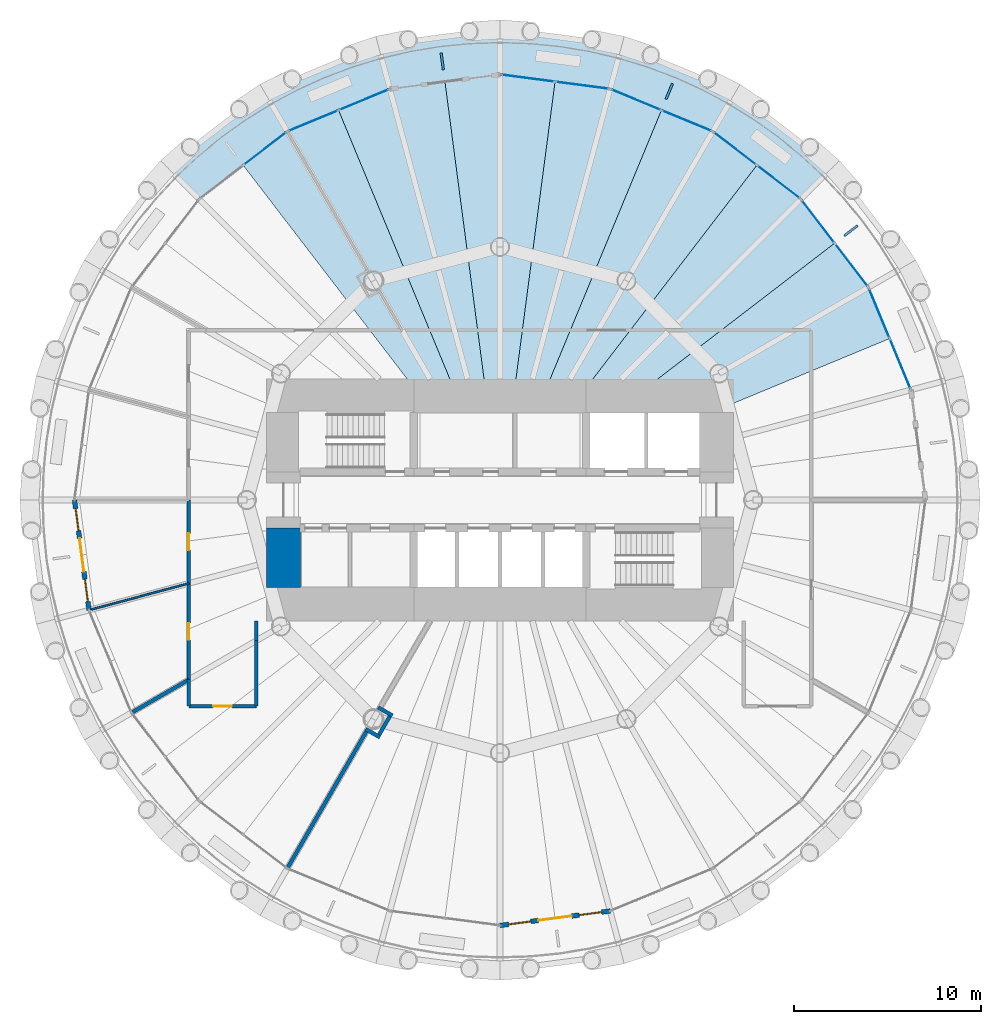
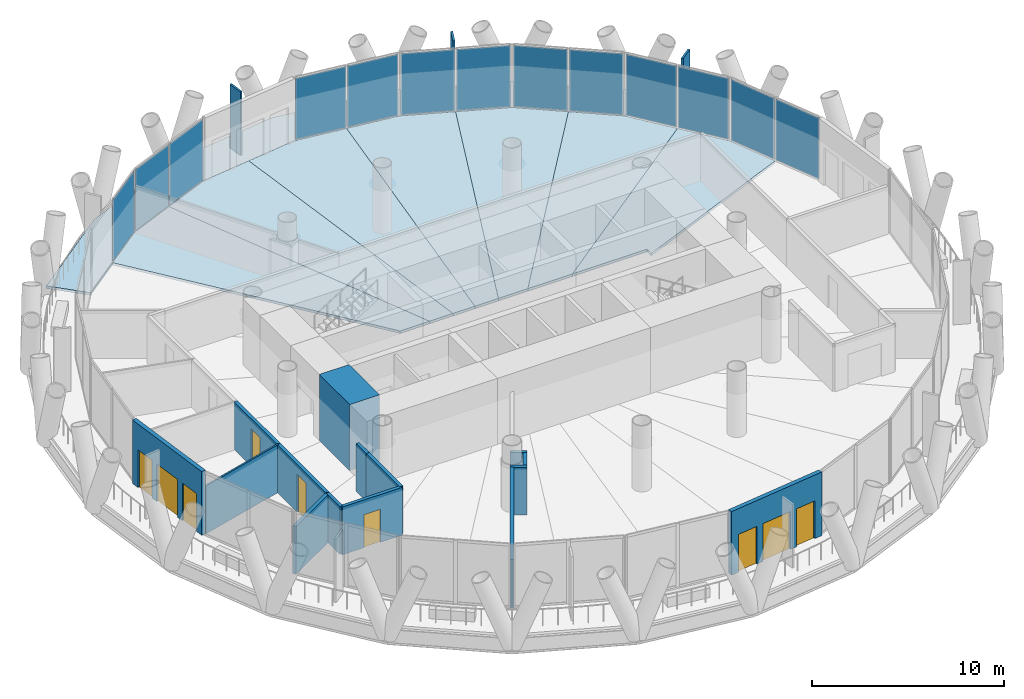
# One storey, part 8 of 14: 16 plates, 15 walls, 8 slabs, 5 doors, 4 windows, 9 openings, 7 elements without a shape of their own.
"""IFC4 building model written with IfcOpenShell, lengths in metres."""

from ifc_helpers import new_model, si_unit, direction, frame, frame_2d, origin, origin_2d, place, context, subcontext, project, spatial, polyline, rectangle, outline, extrude, material, layer, layer_set, type_object, element, fill, aggregate, save


model = new_model("IFC4")

# Units and contexts
model_context = context("Model", 3, precision=1e-05, world=origin(), true_north=direction((0.0, 1.0)))
body_context = subcontext(model_context, "Body", "Model", "MODEL_VIEW")
ifc_project = project(units=[si_unit("LENGTHUNIT", "METRE"), si_unit("AREAUNIT", "SQUARE_METRE"), si_unit("VOLUMEUNIT", "CUBIC_METRE"), si_unit("PLANEANGLEUNIT", "RADIAN"), si_unit("MASSUNIT", "GRAM", prefix="KILO")], contexts=[model_context])

# Site, building, storey
site_placement = place(None, origin())
site = spatial("IfcSite", under=ifc_project, at=site_placement, CompositionType="ELEMENT")
building_placement = place(site_placement, origin())
building = spatial("IfcBuilding", under=site, at=building_placement, Name="Qaws Media Tower", CompositionType="ELEMENT")
storey_placement = place(building_placement, frame((0.0, 0.0, 126.800048828125)))
storey = spatial("IfcBuildingStorey", under=building, at=storey_placement, Name="L28", CompositionType="ELEMENT", Elevation=126.800048828125)

# Slabs
ifc_material_1 = material(Name="Concrete C35/45", Category="concrete")
ifc_layer_1 = layer(ifc_material_1, 0.159912109375)
ifc_layer_set_1 = layer_set([ifc_layer_1], Name="Composite balcony slab 160")
slab_type_1 = type_object("IfcSlabType", Name="Composite balcony slab 160", PredefinedType="FLOOR", material=ifc_layer_set_1)
slab_1_placement = place(storey_placement, frame((0.0, 0.0, -0.16015625)))
element("IfcSlab", 1, at=slab_1_placement, inside=storey, type_object=slab_type_1, Name="S2 balcony slab L28 R04 to R10, movement joints on R04 and R10", PredefinedType="FLOOR", context=body_context, shape_type="SweptSolid", body=[
    extrude(outline(polyline([(47.449951171875, 71.7373046875), (53.503662109375, 74.24462890625), (60.0, 75.10009765625), (66.496337890625, 74.24462890625), (72.550048828125, 71.7373046875), (77.748291015625, 67.748291015625), (76.05126953125, 66.05126953125), (71.35009765625, 69.65869140625), (65.875244140625, 71.926513671875), (60.0, 72.699951171875), (54.124755859375, 71.926513671875), (48.64990234375, 69.65869140625), (43.94873046875, 66.05126953125), (42.251708984375, 67.748291015625), (47.449951171875, 71.7373046875)])), origin(), (0.0, 0.0, 1.0), 0.16015625),
])
ifc_material_2 = material(Name="Concrete C35/45", Category="concrete")
ifc_layer_2 = layer(ifc_material_2, 0.159912109375)
ifc_layer_set_2 = layer_set([ifc_layer_2], Name="Composite floor slab 160")
slab_type_2 = type_object("IfcSlabType", Name="Composite floor slab 160", PredefinedType="FLOOR", material=ifc_layer_set_2)
slab_2_placement = place(storey_placement, frame((0.0, 0.0, -0.16015625)))
element("IfcSlab", 2, at=slab_2_placement, inside=storey, type_object=slab_type_2, Name="S1 floor panel L28 on R03", PredefinedType="FLOOR", context=body_context, shape_type="SweptSolid", body=[
    extrude(outline(polyline([(79.65869140625, 61.35009765625), (80.79248046875, 58.612548828125), (71.0, 54.556396484375), (71.0, 55.0), (66.51611328125, 55.0), (77.85498046875, 63.70068359375), (79.65869140625, 61.35009765625)])), origin(), (0.0, 0.0, 1.0), 0.16015625),
])
slab_3_placement = place(storey_placement, frame((0.0, 0.0, -0.16015625)))
element("IfcSlab", 3, at=slab_3_placement, inside=storey, type_object=slab_type_2, Name="S1 floor panel L28 on R04", PredefinedType="FLOOR", context=body_context, shape_type="SweptSolid", body=[
    extrude(outline(polyline([(76.05126953125, 66.05126953125), (77.85498046875, 63.70068359375), (66.51611328125, 55.0), (63.836669921875, 55.0), (73.70068359375, 67.85498046875), (76.05126953125, 66.05126953125)])), origin(), (0.0, 0.0, 1.0), 0.16015625),
])
slab_4_placement = place(storey_placement, frame((0.0, 0.0, -0.16015625)))
element("IfcSlab", 4, at=slab_4_placement, inside=storey, type_object=slab_type_2, Name="S1 floor panel L28 on R05", PredefinedType="FLOOR", context=body_context, shape_type="SweptSolid", body=[
    extrude(outline(polyline([(71.35009765625, 69.65869140625), (73.70068359375, 67.85498046875), (63.836669921875, 55.0), (62.071044921875, 55.0), (68.612548828125, 70.79248046875), (71.35009765625, 69.65869140625)])), origin(), (0.0, 0.0, 1.0), 0.16015625),
])
slab_5_placement = place(storey_placement, frame((0.0, 0.0, -0.16015625)))
element("IfcSlab", 5, at=slab_5_placement, inside=storey, type_object=slab_type_2, Name="S1 floor panel L28 on R06", PredefinedType="FLOOR", context=body_context, shape_type="SweptSolid", body=[
    extrude(outline(polyline([(65.875244140625, 71.926513671875), (68.612548828125, 70.79248046875), (62.071044921875, 55.0), (60.658203125, 55.0), (62.9375, 72.313232421875), (65.875244140625, 71.926513671875)])), origin(), (0.0, 0.0, 1.0), 0.16015625),
])
slab_6_placement = place(storey_placement, frame((0.0, 0.0, -0.16015625)))
element("IfcSlab", 6, at=slab_6_placement, inside=storey, type_object=slab_type_2, Name="S1 floor panel L28 on R07", PredefinedType="FLOOR", context=body_context, shape_type="SweptSolid", body=[
    extrude(outline(polyline([(60.0, 72.699951171875), (62.9375, 72.313232421875), (60.658203125, 55.0), (59.341796875, 55.0), (57.0625, 72.313232421875), (60.0, 72.699951171875)])), origin(), (0.0, 0.0, 1.0), 0.16015625),
])
slab_7_placement = place(storey_placement, frame((0.0, 0.0, -0.16015625)))
element("IfcSlab", 7, at=slab_7_placement, inside=storey, type_object=slab_type_2, Name="S1 floor panel L28 on R08", PredefinedType="FLOOR", context=body_context, shape_type="SweptSolid", body=[
    extrude(outline(polyline([(54.124755859375, 71.926513671875), (57.0625, 72.313232421875), (59.341796875, 55.0), (57.928955078125, 55.0), (51.387451171875, 70.79248046875), (54.124755859375, 71.926513671875)])), origin(), (0.0, 0.0, 1.0), 0.16015625),
])
slab_8_placement = place(storey_placement, frame((0.0, 0.0, -0.16015625)))
element("IfcSlab", 8, at=slab_8_placement, inside=storey, type_object=slab_type_2, Name="S1 floor panel L28 on R09", PredefinedType="FLOOR", context=body_context, shape_type="SweptSolid", body=[
    extrude(outline(polyline([(48.64990234375, 69.65869140625), (51.387451171875, 70.79248046875), (57.928955078125, 55.0), (56.163330078125, 55.0), (46.29931640625, 67.85498046875), (48.64990234375, 69.65869140625)])), origin(), (0.0, 0.0, 1.0), 0.16015625),
])

# Curtain wall, plates
ifc_material_3 = material(Name="Aluminium and clear glass", Category="aluminium")
curtain_wall_type = type_object("IfcCurtainWallType", Name="Unitised curtain wall CW-B", PredefinedType="NOTDEFINED", material=ifc_material_3)
curtain_wall_1_placement = place(storey_placement, origin())
curtain_wall_1 = element("IfcCurtainWall", 9, at=curtain_wall_1_placement, inside=storey, type_object=curtain_wall_type, Name="CWB curtain wall L28-02", PredefinedType="NOTDEFINED")
ifc_material_4 = material(Name="Clear laminated double glazing", Category="glass")
ifc_layer_3 = layer(ifc_material_4, 0.031982421875)
ifc_layer_set_3 = layer_set([ifc_layer_3], Name="Curtain wall glass unit 32")
plate_type_1 = type_object("IfcPlateType", Name="Curtain wall glass unit 32", PredefinedType="CURTAIN_PANEL", material=ifc_layer_set_3)
plate_1_placement = place(storey_placement, frame((81.351806640625, 57.262451171875, 0.080078125), z_axis=(0.0, 0.0, 1.0), x_axis=(-0.382683327941, 0.923879575765, 0.0)))
plate_1 = element("IfcPlate", 10, at=plate_1_placement, type_object=plate_type_1, Name="CWB panel 1.1", PredefinedType="CURTAIN_PANEL", context=body_context, shape_type="SweptSolid", body=[
    extrude(rectangle(XDim=2.843017578125, YDim=0.031982421875, at=origin_2d()), origin(), (0.0, 0.0, 1.0), 3.8798828125),
])
plate_2_placement = place(storey_placement, frame((80.2333984375, 59.962890625, 0.080078125), z_axis=(0.0, 0.0, 1.0), x_axis=(-0.382683327941, 0.923879575765, 0.0)))
plate_2 = element("IfcPlate", 11, at=plate_2_placement, type_object=plate_type_1, Name="CWB panel 2.1", PredefinedType="CURTAIN_PANEL", context=body_context, shape_type="SweptSolid", body=[
    extrude(rectangle(XDim=2.843017578125, YDim=0.031982421875, at=origin_2d()), origin(), (0.0, 0.0, 1.0), 3.8798828125),
])
aggregate(curtain_wall_1, [plate_1, plate_2])

curtain_wall_2_placement = place(storey_placement, origin())
curtain_wall_2 = element("IfcCurtainWall", 12, at=curtain_wall_2_placement, inside=storey, type_object=curtain_wall_type, Name="CWB curtain wall L28-03", PredefinedType="NOTDEFINED")
plate_3_placement = place(storey_placement, frame((78.74462890625, 62.541259765625, 0.080078125), z_axis=(0.0, 0.0, 1.0), x_axis=(-0.608761451911, 0.793353322718, 0.0)))
plate_3 = element("IfcPlate", 13, at=plate_3_placement, type_object=plate_type_1, Name="CWB panel 1.1", PredefinedType="CURTAIN_PANEL", context=body_context, shape_type="SweptSolid", body=[
    extrude(rectangle(XDim=2.843017578125, YDim=0.031982421875, at=origin_2d()), origin(), (0.0, 0.0, 1.0), 3.8798828125),
])
plate_4_placement = place(storey_placement, frame((76.96533203125, 64.860107421875, 0.080078125), z_axis=(0.0, 0.0, 1.0), x_axis=(-0.608761451911, 0.793353322718, 0.0)))
plate_4 = element("IfcPlate", 14, at=plate_4_placement, type_object=plate_type_1, Name="CWB panel 2.1", PredefinedType="CURTAIN_PANEL", context=body_context, shape_type="SweptSolid", body=[
    extrude(rectangle(XDim=2.843017578125, YDim=0.031982421875, at=origin_2d()), origin(), (0.0, 0.0, 1.0), 3.8798828125),
])
aggregate(curtain_wall_2, [plate_3, plate_4])

curtain_wall_3_placement = place(storey_placement, origin())
curtain_wall_3 = element("IfcCurtainWall", 15, at=curtain_wall_3_placement, inside=storey, type_object=curtain_wall_type, Name="CWB curtain wall L28-04", PredefinedType="NOTDEFINED")
plate_5_placement = place(storey_placement, frame((74.860107421875, 66.96533203125, 0.080078125), z_axis=(0.0, 0.0, 1.0), x_axis=(-0.793353322718, 0.608761451911, 0.0)))
plate_5 = element("IfcPlate", 16, at=plate_5_placement, type_object=plate_type_1, Name="CWB panel 1.1", PredefinedType="CURTAIN_PANEL", context=body_context, shape_type="SweptSolid", body=[
    extrude(rectangle(XDim=2.843017578125, YDim=0.031982421875, at=origin_2d()), origin(), (0.0, 0.0, 1.0), 3.8798828125),
])
plate_6_placement = place(storey_placement, frame((72.541259765625, 68.74462890625, 0.080078125), z_axis=(0.0, 0.0, 1.0), x_axis=(-0.793353322718, 0.608761451911, 0.0)))
plate_6 = element("IfcPlate", 17, at=plate_6_placement, type_object=plate_type_1, Name="CWB panel 2.1", PredefinedType="CURTAIN_PANEL", context=body_context, shape_type="SweptSolid", body=[
    extrude(rectangle(XDim=2.843017578125, YDim=0.031982421875, at=origin_2d()), origin(), (0.0, 0.0, 1.0), 3.8798828125),
])
aggregate(curtain_wall_3, [plate_5, plate_6])

curtain_wall_4_placement = place(storey_placement, origin())
curtain_wall_4 = element("IfcCurtainWall", 18, at=curtain_wall_4_placement, inside=storey, type_object=curtain_wall_type, Name="CWB curtain wall L28-05", PredefinedType="NOTDEFINED")
plate_7_placement = place(storey_placement, frame((69.962890625, 70.2333984375, 0.080078125), z_axis=(0.0, 0.0, 1.0), x_axis=(-0.923879575765, 0.382683327941, 0.0)))
plate_7 = element("IfcPlate", 19, at=plate_7_placement, type_object=plate_type_1, Name="CWB panel 1.1", PredefinedType="CURTAIN_PANEL", context=body_context, shape_type="SweptSolid", body=[
    extrude(rectangle(XDim=2.843017578125, YDim=0.031982421875, at=origin_2d()), origin(), (0.0, 0.0, 1.0), 3.8798828125),
])
plate_8_placement = place(storey_placement, frame((67.262451171875, 71.351806640625, 0.080078125), z_axis=(0.0, 0.0, 1.0), x_axis=(-0.923879575765, 0.382683327941, 0.0)))
plate_8 = element("IfcPlate", 20, at=plate_8_placement, type_object=plate_type_1, Name="CWB panel 2.1", PredefinedType="CURTAIN_PANEL", context=body_context, shape_type="SweptSolid", body=[
    extrude(rectangle(XDim=2.843017578125, YDim=0.031982421875, at=origin_2d()), origin(), (0.0, 0.0, 1.0), 3.8798828125),
])
aggregate(curtain_wall_4, [plate_7, plate_8])

curtain_wall_5_placement = place(storey_placement, origin())
curtain_wall_5 = element("IfcCurtainWall", 21, at=curtain_wall_5_placement, inside=storey, type_object=curtain_wall_type, Name="CWB curtain wall L28-06", PredefinedType="NOTDEFINED")
plate_9_placement = place(storey_placement, frame((64.386474609375, 72.12255859375, 0.080078125), z_axis=(0.0, 0.0, 1.0), x_axis=(-0.991444854836, 0.130526241882, 0.0)))
plate_9 = element("IfcPlate", 22, at=plate_9_placement, type_object=plate_type_1, Name="CWB panel 1.1", PredefinedType="CURTAIN_PANEL", context=body_context, shape_type="SweptSolid", body=[
    extrude(rectangle(XDim=2.843017578125, YDim=0.031982421875, at=origin_2d()), origin(), (0.0, 0.0, 1.0), 3.8798828125),
])
plate_10_placement = place(storey_placement, frame((61.488525390625, 72.50390625, 0.080078125), z_axis=(0.0, 0.0, 1.0), x_axis=(-0.991444854836, 0.130526241882, 0.0)))
plate_10 = element("IfcPlate", 23, at=plate_10_placement, type_object=plate_type_1, Name="CWB panel 2.1", PredefinedType="CURTAIN_PANEL", context=body_context, shape_type="SweptSolid", body=[
    extrude(rectangle(XDim=2.843017578125, YDim=0.031982421875, at=origin_2d()), origin(), (0.0, 0.0, 1.0), 3.8798828125),
])
aggregate(curtain_wall_5, [plate_9, plate_10])

curtain_wall_6_placement = place(storey_placement, origin())
curtain_wall_6 = element("IfcCurtainWall", 24, at=curtain_wall_6_placement, inside=storey, type_object=curtain_wall_type, Name="CWB curtain wall L28-08", PredefinedType="NOTDEFINED")
plate_11_placement = place(storey_placement, frame((52.737548828125, 71.351806640625, 0.080078125), z_axis=(0.0, 0.0, 1.0), x_axis=(-0.923879575765, -0.382683327941, 0.0)))
plate_11 = element("IfcPlate", 25, at=plate_11_placement, type_object=plate_type_1, Name="CWB panel 1.1", PredefinedType="CURTAIN_PANEL", context=body_context, shape_type="SweptSolid", body=[
    extrude(rectangle(XDim=2.843017578125, YDim=0.031982421875, at=origin_2d()), origin(), (0.0, 0.0, 1.0), 3.8798828125),
])
plate_12_placement = place(storey_placement, frame((50.037109375, 70.2333984375, 0.080078125), z_axis=(0.0, 0.0, 1.0), x_axis=(-0.923879575765, -0.382683327941, 0.0)))
plate_12 = element("IfcPlate", 26, at=plate_12_placement, type_object=plate_type_1, Name="CWB panel 2.1", PredefinedType="CURTAIN_PANEL", context=body_context, shape_type="SweptSolid", body=[
    extrude(rectangle(XDim=2.843017578125, YDim=0.031982421875, at=origin_2d()), origin(), (0.0, 0.0, 1.0), 3.8798828125),
])
aggregate(curtain_wall_6, [plate_11, plate_12])

# Curtain wall, plate
curtain_wall_7_placement = place(storey_placement, origin())
curtain_wall_7 = element("IfcCurtainWall", 27, at=curtain_wall_7_placement, inside=storey, type_object=curtain_wall_type, Name="CWB curtain wall L28-09", PredefinedType="NOTDEFINED")
plate_13_placement = place(storey_placement, frame((47.458740234375, 68.74462890625, 0.080078125), z_axis=(0.0, 0.0, 1.0), x_axis=(-0.793353322718, -0.608761451911, 0.0)))
plate_13 = element("IfcPlate", 28, at=plate_13_placement, type_object=plate_type_1, Name="CWB panel 1.1", PredefinedType="CURTAIN_PANEL", context=body_context, shape_type="SweptSolid", body=[
    extrude(rectangle(XDim=2.843017578125, YDim=0.031982421875, at=origin_2d()), origin(), (0.0, 0.0, 1.0), 3.8798828125),
])
aggregate(curtain_wall_7, [plate_13])

# Plates
ifc_material_5 = material(Name="Precast concrete screen fin", Category="concrete")
ifc_layer_4 = layer(ifc_material_5, 0.1201171875)
ifc_layer_set_4 = layer_set([ifc_layer_4], Name="Screen fin 120x900")
plate_type_2 = type_object("IfcPlateType", Name="Screen fin 120x900", PredefinedType="USERDEFINED", material=ifc_layer_set_4)
for number, where, z_axis, x_axis, name in (
    (29, (78.72314453125, 64.36669921875, 0.0), (0.0, 0.0, 1.0), (0.793353340291, 0.608761429009, 0.0), "SCR1 screen fin L28-02"),
    (30, (69.03125, 71.803466796875, 0.0), (0.0, 0.0, 1.0), (0.382683432365, 0.923879532511, 0.0), "SCR1 screen fin L28-03"),
    (31, (56.919677734375, 73.398193359375, 0.0), (0.0, 0.0, 1.0), (-0.13052619222, 0.991444861374, 0.0), "SCR1 screen fin L28-04"),
):
    element("IfcPlate", number, at=place(storey_placement, frame(where, z_axis=z_axis, x_axis=x_axis)), inside=storey, type_object=plate_type_2, Name=name, ObjectType="SCREEN", PredefinedType="USERDEFINED", context=body_context, shape_type="SweptSolid", body=[
        extrude(rectangle(XDim=0.89990234375, YDim=0.1201171875, at=origin_2d()), origin(), (0.0, 0.0, 1.0), 4.0400390625),
    ])

# Wall, openings, door, windows
ifc_material_6 = material(Name="Precast concrete, exposed finish", Category="concrete")
ifc_layer_5 = layer(ifc_material_6, 0.25)
ifc_layer_set_5 = layer_set([ifc_layer_5], Name="Balcony door wall 250")
wall_type_1 = type_object("IfcWallType", Name="Balcony door wall 250", PredefinedType="SOLIDWALL", material=ifc_layer_set_5)
wall_1_placement = place(storey_placement, frame((37.300048828125, 50.0, 0.0), z_axis=(0.0, 0.0, 1.0), x_axis=(0.130517390063, -0.99144602016, 0.0)))
wall_1 = element("IfcWall", 32, at=wall_1_placement, inside=storey, type_object=wall_type_1, Name="W137 EW1 balcony door wall L28-13", PredefinedType="SOLIDWALL", context=body_context, shape_type="SweptSolid", body=[
    extrude(rectangle(XDim=5.926025390625, YDim=0.25, at=frame_2d((2.962890625, 0.0))), origin(), (0.0, 0.0, 1.0), 4.0400390625),
])
opening_1_placement = place(wall_1_placement, frame((2.06298828125, 0.0, 0.0)))
opening_1 = element("IfcOpeningElement", 33, at=opening_1_placement, cuts=wall_1, Name="Opening D7", PredefinedType="OPENING", context=body_context, shape_type="SweptSolid", body=[
    extrude(rectangle(XDim=1.800048828125, YDim=2.39990234375, at=frame_2d((0.89990234375, 1.199951171875))), frame((0.0, 0.135009765625, 0.0), z_axis=(0.0, -1.0, 0.0), x_axis=(1.0, 0.0, 0.0)), (0.0, 0.0, 1.0), 0.27001953125),
])
opening_2_placement = place(wall_1_placement, frame((0.462890625, 0.0, 0.0)))
opening_2 = element("IfcOpeningElement", 34, at=opening_2_placement, cuts=wall_1, Name="Opening W1", PredefinedType="OPENING", context=body_context, shape_type="SweptSolid", body=[
    extrude(rectangle(XDim=1.199951171875, YDim=2.39990234375, at=frame_2d((0.60009765625, 1.199951171875))), frame((0.0, 0.135009765625, 0.0), z_axis=(0.0, -1.0, 0.0), x_axis=(1.0, 0.0, 0.0)), (0.0, 0.0, 1.0), 0.27001953125),
])
opening_3_placement = place(wall_1_placement, frame((4.262939453125, 0.0, 0.0)))
opening_3 = element("IfcOpeningElement", 35, at=opening_3_placement, cuts=wall_1, Name="Opening W1", PredefinedType="OPENING", context=body_context, shape_type="SweptSolid", body=[
    extrude(rectangle(XDim=1.199951171875, YDim=2.39990234375, at=frame_2d((0.60009765625, 1.199951171875))), frame((0.0, 0.135009765625, 0.0), z_axis=(0.0, -1.0, 0.0), x_axis=(1.0, 0.0, 0.0)), (0.0, 0.0, 1.0), 0.27001953125),
])
ifc_material_7 = material(Name="Aluminium and clear glass", Category="aluminium")
door_type_1 = type_object("IfcDoorType", Name="Balcony door pair 1800", OperationType="DOUBLE_DOOR_SLIDING", PredefinedType="DOOR", material=ifc_material_7)
door_1_placement = place(opening_1_placement, origin())
door_1 = element("IfcDoor", 36, at=door_1_placement, inside=storey, type_object=door_type_1, Name="D7 balcony door L28-13 in wall W137", OperationType="DOUBLE_DOOR_SLIDING", OverallHeight=2.39990234375, OverallWidth=1.800048828125, PredefinedType="DOOR", context=body_context, shape_type="SweptSolid", body=[
    extrude(rectangle(XDim=1.800048828125, YDim=2.39990234375, at=frame_2d((0.89990234375, 1.199951171875))), frame((0.0, 0.02490234375, 0.0), z_axis=(0.0, -1.0, 0.0), x_axis=(1.0, 0.0, 0.0)), (0.0, 0.0, 1.0), 0.050048828125),
])
fill(opening_1, door_1)
ifc_material_8 = material(Name="Aluminium and clear glass", Category="aluminium")
window_type = type_object("IfcWindowType", Name="Balcony side window 1200", PartitioningType="SINGLE_PANEL", PredefinedType="WINDOW", material=ifc_material_8)
window_1_placement = place(opening_2_placement, origin())
window_1 = element("IfcWindow", 37, at=window_1_placement, inside=storey, type_object=window_type, Name="W1 balcony side light L28-13L", OverallHeight=2.39990234375, OverallWidth=1.199951171875, PartitioningType="SINGLE_PANEL", PredefinedType="WINDOW", context=body_context, shape_type="SweptSolid", body=[
    extrude(rectangle(XDim=1.199951171875, YDim=2.39990234375, at=frame_2d((0.60009765625, 1.199951171875))), frame((0.0, 0.030029296875, 0.0), z_axis=(0.0, -1.0, 0.0), x_axis=(1.0, 0.0, 0.0)), (0.0, 0.0, 1.0), 0.06005859375),
])
fill(opening_2, window_1)
window_2_placement = place(opening_3_placement, origin())
window_2 = element("IfcWindow", 38, at=window_2_placement, inside=storey, type_object=window_type, Name="W1 balcony side light L28-13R", OverallHeight=2.39990234375, OverallWidth=1.199951171875, PartitioningType="SINGLE_PANEL", PredefinedType="WINDOW", context=body_context, shape_type="SweptSolid", body=[
    extrude(rectangle(XDim=1.199951171875, YDim=2.39990234375, at=frame_2d((0.60009765625, 1.199951171875))), frame((0.0, 0.030029296875, 0.0), z_axis=(0.0, -1.0, 0.0), x_axis=(1.0, 0.0, 0.0)), (0.0, 0.0, 1.0), 0.06005859375),
])
fill(opening_3, window_2)

wall_2_placement = place(storey_placement, frame((60.0, 27.300048828125, 0.0), z_axis=(0.0, 0.0, 1.0), x_axis=(0.99144602016, 0.130517390063, 0.0)))
wall_2 = element("IfcWall", 39, at=wall_2_placement, inside=storey, type_object=wall_type_1, Name="W138 EW1 balcony door wall L28-19", PredefinedType="SOLIDWALL", context=body_context, shape_type="SweptSolid", body=[
    extrude(rectangle(XDim=5.926025390625, YDim=0.25, at=frame_2d((2.962890625, 0.0))), origin(), (0.0, 0.0, 1.0), 4.0400390625),
])
opening_4_placement = place(wall_2_placement, frame((2.06298828125, 0.0, 0.0)))
opening_4 = element("IfcOpeningElement", 40, at=opening_4_placement, cuts=wall_2, Name="Opening D7", PredefinedType="OPENING", context=body_context, shape_type="SweptSolid", body=[
    extrude(rectangle(XDim=1.800048828125, YDim=2.39990234375, at=frame_2d((0.89990234375, 1.199951171875))), frame((0.0, 0.135009765625, 0.0), z_axis=(0.0, -1.0, 0.0), x_axis=(1.0, 0.0, 0.0)), (0.0, 0.0, 1.0), 0.27001953125),
])
opening_5_placement = place(wall_2_placement, frame((0.462890625, 0.0, 0.0)))
opening_5 = element("IfcOpeningElement", 41, at=opening_5_placement, cuts=wall_2, Name="Opening W1", PredefinedType="OPENING", context=body_context, shape_type="SweptSolid", body=[
    extrude(rectangle(XDim=1.199951171875, YDim=2.39990234375, at=frame_2d((0.60009765625, 1.199951171875))), frame((0.0, 0.135009765625, 0.0), z_axis=(0.0, -1.0, 0.0), x_axis=(1.0, 0.0, 0.0)), (0.0, 0.0, 1.0), 0.27001953125),
])
opening_6_placement = place(wall_2_placement, frame((4.262939453125, 0.0, 0.0)))
opening_6 = element("IfcOpeningElement", 42, at=opening_6_placement, cuts=wall_2, Name="Opening W1", PredefinedType="OPENING", context=body_context, shape_type="SweptSolid", body=[
    extrude(rectangle(XDim=1.199951171875, YDim=2.39990234375, at=frame_2d((0.60009765625, 1.199951171875))), frame((0.0, 0.135009765625, 0.0), z_axis=(0.0, -1.0, 0.0), x_axis=(1.0, 0.0, 0.0)), (0.0, 0.0, 1.0), 0.27001953125),
])
door_2_placement = place(opening_4_placement, origin())
door_2 = element("IfcDoor", 43, at=door_2_placement, inside=storey, type_object=door_type_1, Name="D7 balcony door L28-19 in wall W138", OperationType="DOUBLE_DOOR_SLIDING", OverallHeight=2.39990234375, OverallWidth=1.800048828125, PredefinedType="DOOR", context=body_context, shape_type="SweptSolid", body=[
    extrude(rectangle(XDim=1.800048828125, YDim=2.39990234375, at=frame_2d((0.89990234375, 1.199951171875))), frame((0.0, 0.02490234375, 0.0), z_axis=(0.0, -1.0, 0.0), x_axis=(1.0, 0.0, 0.0)), (0.0, 0.0, 1.0), 0.050048828125),
])
fill(opening_4, door_2)
window_3_placement = place(opening_5_placement, origin())
window_3 = element("IfcWindow", 44, at=window_3_placement, inside=storey, type_object=window_type, Name="W1 balcony side light L28-19L", OverallHeight=2.39990234375, OverallWidth=1.199951171875, PartitioningType="SINGLE_PANEL", PredefinedType="WINDOW", context=body_context, shape_type="SweptSolid", body=[
    extrude(rectangle(XDim=1.199951171875, YDim=2.39990234375, at=frame_2d((0.60009765625, 1.199951171875))), frame((0.0, 0.030029296875, 0.0), z_axis=(0.0, -1.0, 0.0), x_axis=(1.0, 0.0, 0.0)), (0.0, 0.0, 1.0), 0.06005859375),
])
fill(opening_5, window_3)
window_4_placement = place(opening_6_placement, origin())
window_4 = element("IfcWindow", 45, at=window_4_placement, inside=storey, type_object=window_type, Name="W1 balcony side light L28-19R", OverallHeight=2.39990234375, OverallWidth=1.199951171875, PartitioningType="SINGLE_PANEL", PredefinedType="WINDOW", context=body_context, shape_type="SweptSolid", body=[
    extrude(rectangle(XDim=1.199951171875, YDim=2.39990234375, at=frame_2d((0.60009765625, 1.199951171875))), frame((0.0, 0.030029296875, 0.0), z_axis=(0.0, -1.0, 0.0), x_axis=(1.0, 0.0, 0.0)), (0.0, 0.0, 1.0), 0.06005859375),
])
fill(opening_6, window_4)

# Walls
ifc_material_9 = material(Name="Concrete C60/75", Category="concrete")
ifc_layer_6 = layer(ifc_material_9, 1.800048828125)
ifc_layer_set_6 = layer_set([ifc_layer_6], Name="Core wall 1800")
wall_type_2 = type_object("IfcWallType", Name="Core wall 1800", PredefinedType="SHEAR", material=ifc_layer_set_6)
wall_3_placement = place(storey_placement, frame((48.449951171875, 45.330078125, 0.0), z_axis=(0.0, 0.0, 1.0), x_axis=(0.0, 1.0, 0.0)))
element("IfcWall", 46, at=wall_3_placement, inside=storey, type_object=wall_type_2, Name="W418 SW11 core wall WS L28", PredefinedType="SHEAR", context=body_context, shape_type="SweptSolid", body=[
    extrude(rectangle(XDim=3.169921875, YDim=1.800048828125, at=frame_2d((1.5849609375, 0.0))), origin(), (0.0, 0.0, 1.0), 4.199951171875),
])
ifc_material_10 = material(Name="Gypsum board on 70 metal studs, single layer each side", Category="gypsum")
ifc_layer_7 = layer(ifc_material_10, 0.10009765625)
ifc_layer_set_7 = layer_set([ifc_layer_7], Name="Office stud partition 100")
wall_type_3 = type_object("IfcWallType", Name="Office stud partition 100", PredefinedType="PARTITIONING", material=ifc_layer_set_7)
wall_4_placement = place(storey_placement, frame((43.405517578125, 45.553466796875, 0.0), z_axis=(0.0, 0.0, 1.0), x_axis=(-0.965920908364, -0.258837398351, 0.0)))
element("IfcWall", 47, at=wall_4_placement, inside=storey, type_object=wall_type_3, Name="W663 IW4 partition L28", PredefinedType="PARTITIONING", context=body_context, shape_type="SweptSolid", body=[
    extrude(rectangle(XDim=5.380126953125, YDim=0.10009765625, at=frame_2d((2.68994140625, 0.0))), origin(), (0.0, 0.0, 1.0), 3.0400390625),
])
ifc_material_11 = material(Name="Gypsum board on galvanised metal studs, acoustic double stud, deflection head", Category="gypsum")
ifc_layer_8 = layer(ifc_material_11, 0.199951171875)
ifc_layer_set_8 = layer_set([ifc_layer_8], Name="Room partition 200")
wall_type_4 = type_object("IfcWallType", Name="Room partition 200", PredefinedType="PARTITIONING", material=ifc_layer_set_8)
wall_5_placement = place(storey_placement, frame((47.0, 43.550048828125, 0.0), z_axis=(0.0, 0.0, 1.0), x_axis=(0.0, -1.0, 0.0)))
element("IfcWall", 48, at=wall_5_placement, inside=storey, type_object=wall_type_4, Name="W1224 IW3 partition L28", PredefinedType="PARTITIONING", context=body_context, shape_type="SweptSolid", body=[
    extrude(rectangle(XDim=1.0556640625, YDim=0.199951171875, at=frame_2d((0.52783203125, 0.0))), origin(), (0.0, 0.0, 1.0), 3.0400390625),
])
wall_6_placement = place(storey_placement, frame((47.0, 42.494384765625, 0.0), z_axis=(0.0, 0.0, 1.0), x_axis=(0.0, -1.0, 0.0)))
element("IfcWall", 49, at=wall_6_placement, inside=storey, type_object=wall_type_4, Name="W1223 IW3 partition L28", PredefinedType="PARTITIONING", context=body_context, shape_type="SweptSolid", body=[
    extrude(rectangle(XDim=3.494384765625, YDim=0.199951171875, at=frame_2d((1.7470703125, 0.0))), origin(), (0.0, 0.0, 1.0), 3.0400390625),
])

# Wall, opening, door
wall_7_placement = place(storey_placement, frame((47.0, 39.0, 0.0), z_axis=(0.0, 0.0, 1.0), x_axis=(-1.0, 0.0, 0.0)))
wall_7 = element("IfcWall", 50, at=wall_7_placement, inside=storey, type_object=wall_type_4, Name="W1253 IW3 partition L28", PredefinedType="PARTITIONING", context=body_context, shape_type="SweptSolid", body=[
    extrude(rectangle(XDim=3.60009765625, YDim=0.199951171875, at=frame_2d((1.800048828125, 0.0))), origin(), (0.0, 0.0, 1.0), 3.0400390625),
])
opening_7_placement = place(wall_7_placement, frame((1.300048828125, 0.0, 0.0)))
opening_7 = element("IfcOpeningElement", 51, at=opening_7_placement, cuts=wall_7, Name="Opening D5", PredefinedType="OPENING", context=body_context, shape_type="SweptSolid", body=[
    extrude(rectangle(XDim=1.0, YDim=2.10009765625, at=frame_2d((0.5, 1.050048828125))), frame((0.0, 0.10986328125, 0.0), z_axis=(0.0, -1.0, 0.0), x_axis=(1.0, 0.0, 0.0)), (0.0, 0.0, 1.0), 0.219970703125),
])
ifc_material_12 = material(Name="Timber veneered, acoustic seal", Category="wood")
door_type_2 = type_object("IfcDoorType", Name="Room door 1000", OperationType="SINGLE_SWING_LEFT", PredefinedType="DOOR", material=ifc_material_12)
door_3_placement = place(opening_7_placement, origin())
door_3 = element("IfcDoor", 52, at=door_3_placement, inside=storey, type_object=door_type_2, Name="D5 Finance office door L28 in wall W1253", OperationType="SINGLE_SWING_LEFT", OverallHeight=2.10009765625, OverallWidth=1.0, PredefinedType="DOOR", context=body_context, shape_type="SweptSolid", body=[
    extrude(rectangle(XDim=1.0, YDim=2.10009765625, at=frame_2d((0.5, 1.050048828125))), frame((0.0, 0.02490234375, 0.0), z_axis=(0.0, -1.0, 0.0), x_axis=(1.0, 0.0, 0.0)), (0.0, 0.0, 1.0), 0.050048828125),
])
fill(opening_7, door_3)

# Wall
wall_8_placement = place(storey_placement, frame((43.39990234375, 39.0, 0.0), z_axis=(0.0, 0.0, 1.0), x_axis=(0.0, 1.0, 0.0)))
element("IfcWall", 53, at=wall_8_placement, inside=storey, type_object=wall_type_4, Name="W1245 IW3 partition L28", PredefinedType="PARTITIONING", context=body_context, shape_type="SweptSolid", body=[
    extrude(rectangle(XDim=1.416015625, YDim=0.199951171875, at=frame_2d((0.7080078125, 0.0))), origin(), (0.0, 0.0, 1.0), 3.0400390625),
])

# Wall, opening, door
wall_9_placement = place(storey_placement, frame((43.39990234375, 40.416015625, 0.0), z_axis=(0.0, 0.0, 1.0), x_axis=(0.0, 1.0, 0.0)))
wall_9 = element("IfcWall", 54, at=wall_9_placement, inside=storey, type_object=wall_type_4, Name="W1246 IW3 partition L28", PredefinedType="PARTITIONING", context=body_context, shape_type="SweptSolid", body=[
    extrude(rectangle(XDim=5.135986328125, YDim=0.199951171875, at=frame_2d((2.56787109375, 0.0))), origin(), (0.0, 0.0, 1.0), 3.0400390625),
])
opening_8_placement = place(wall_9_placement, frame((2.117919921875, 0.0, 0.0)))
opening_8 = element("IfcOpeningElement", 55, at=opening_8_placement, cuts=wall_9, Name="Opening D12", PredefinedType="OPENING", context=body_context, shape_type="SweptSolid", body=[
    extrude(rectangle(XDim=0.89990234375, YDim=2.39990234375, at=frame_2d((0.449951171875, 1.199951171875))), frame((0.0, 0.10986328125, 0.0), z_axis=(0.0, -1.0, 0.0), x_axis=(1.0, 0.0, 0.0)), (0.0, 0.0, 1.0), 0.219970703125),
])
ifc_material_13 = material(Name="Timber veneered, full height", Category="wood")
door_type_3 = type_object("IfcDoorType", Name="Office door 900x2400", OperationType="SINGLE_SWING_LEFT", PredefinedType="DOOR", material=ifc_material_13)
door_4_placement = place(opening_8_placement, origin())
door_4 = element("IfcDoor", 56, at=door_4_placement, inside=storey, type_object=door_type_3, Name="D12 Office door L28 in wall W1246", OperationType="SINGLE_SWING_LEFT", OverallHeight=2.39990234375, OverallWidth=0.89990234375, PredefinedType="DOOR", context=body_context, shape_type="SweptSolid", body=[
    extrude(rectangle(XDim=0.89990234375, YDim=2.39990234375, at=frame_2d((0.449951171875, 1.199951171875))), frame((0.0, 0.02490234375, 0.0), z_axis=(0.0, -1.0, 0.0), x_axis=(1.0, 0.0, 0.0)), (0.0, 0.0, 1.0), 0.050048828125),
])
fill(opening_8, door_4)

wall_10_placement = place(storey_placement, frame((43.39990234375, 45.552001953125, 0.0), z_axis=(0.0, 0.0, 1.0), x_axis=(0.0, 1.0, 0.0)))
wall_10 = element("IfcWall", 57, at=wall_10_placement, inside=storey, type_object=wall_type_4, Name="W1247 IW3 partition L28", PredefinedType="PARTITIONING", context=body_context, shape_type="SweptSolid", body=[
    extrude(rectangle(XDim=4.447998046875, YDim=0.199951171875, at=frame_2d((2.22412109375, 0.0))), origin(), (0.0, 0.0, 1.0), 3.0400390625),
])
opening_9_placement = place(wall_10_placement, frame((1.77392578125, 0.0, 0.0)))
opening_9 = element("IfcOpeningElement", 58, at=opening_9_placement, cuts=wall_10, Name="Opening D12", PredefinedType="OPENING", context=body_context, shape_type="SweptSolid", body=[
    extrude(rectangle(XDim=0.89990234375, YDim=2.39990234375, at=frame_2d((0.449951171875, 1.199951171875))), frame((0.0, 0.10986328125, 0.0), z_axis=(0.0, -1.0, 0.0), x_axis=(1.0, 0.0, 0.0)), (0.0, 0.0, 1.0), 0.219970703125),
])
door_5_placement = place(opening_9_placement, origin())
door_5 = element("IfcDoor", 59, at=door_5_placement, inside=storey, type_object=door_type_3, Name="D12 Office door L28 in wall W1247", OperationType="SINGLE_SWING_LEFT", OverallHeight=2.39990234375, OverallWidth=0.89990234375, PredefinedType="DOOR", context=body_context, shape_type="SweptSolid", body=[
    extrude(rectangle(XDim=0.89990234375, YDim=2.39990234375, at=frame_2d((0.449951171875, 1.199951171875))), frame((0.0, 0.02490234375, 0.0), z_axis=(0.0, -1.0, 0.0), x_axis=(1.0, 0.0, 0.0)), (0.0, 0.0, 1.0), 0.050048828125),
])
fill(opening_9, door_5)

# Walls
wall_11_placement = place(storey_placement, frame((43.406982421875, 40.419921875, 0.0), z_axis=(0.0, 0.0, 1.0), x_axis=(-0.866019471182, -0.500010275428, 0.0)))
element("IfcWall", 60, at=wall_11_placement, inside=storey, type_object=wall_type_4, Name="W1267 IW3 partition L28", PredefinedType="PARTITIONING", context=body_context, shape_type="SweptSolid", body=[
    extrude(rectangle(XDim=3.5, YDim=0.199951171875, at=frame_2d((1.75, 0.0))), origin(), (0.0, 0.0, 1.0), 3.0400390625),
])
for number, where, z_axis, x_axis, name in (
    (61, (53.497314453125, 38.937255859375, 0.0), (0.0, 0.0, 1.0), (0.86607910459, -0.49990697594, 0.0), "W1270 IW3 partition return L28"),
    (62, (52.829345703125, 37.7802734375, 0.0), (0.0, 0.0, 1.0), (0.86607910459, -0.49990697594, 0.0), "W1268 IW3 partition return L28"),
):
    element("IfcWall", number, at=place(storey_placement, frame(where, z_axis=z_axis, x_axis=x_axis)), inside=storey, type_object=wall_type_4, Name=name, PredefinedType="PARTITIONING", context=body_context, shape_type="SweptSolid", body=[
        extrude(rectangle(XDim=0.878173828125, YDim=0.199951171875, at=frame_2d((0.43896484375, 0.0))), origin(), (0.0, 0.0, 1.0), 3.02001953125),
    ])
wall_12_placement = place(storey_placement, frame((54.12109375, 38.461669921875, 0.0), z_axis=(0.0, 0.0, 1.0), x_axis=(-0.499883687939, -0.866092546171, 0.0)))
element("IfcWall", 63, at=wall_12_placement, inside=storey, type_object=wall_type_4, Name="W1271 IW3 partition return L28", PredefinedType="PARTITIONING", context=body_context, shape_type="SweptSolid", body=[
    extrude(rectangle(XDim=1.135986328125, YDim=0.199951171875, at=frame_2d((0.56787109375, 0.0))), origin(), (0.0, 0.0, 1.0), 3.02001953125),
])
wall_13_placement = place(storey_placement, frame((52.865966796875, 37.6435546875, 0.0), z_axis=(0.0, 0.0, 1.0), x_axis=(-0.500009539049, -0.866019896342, 0.0)))
element("IfcWall", 64, at=wall_13_placement, inside=storey, type_object=wall_type_4, Name="W1269 IW3 partition L28", PredefinedType="PARTITIONING", context=body_context, shape_type="SweptSolid", body=[
    extrude(rectangle(XDim=8.391845703125, YDim=0.199951171875, at=frame_2d((4.19580078125, 0.0))), origin(), (0.0, 0.0, 1.0), 3.0400390625),
])

save(model, "model.ifc")
